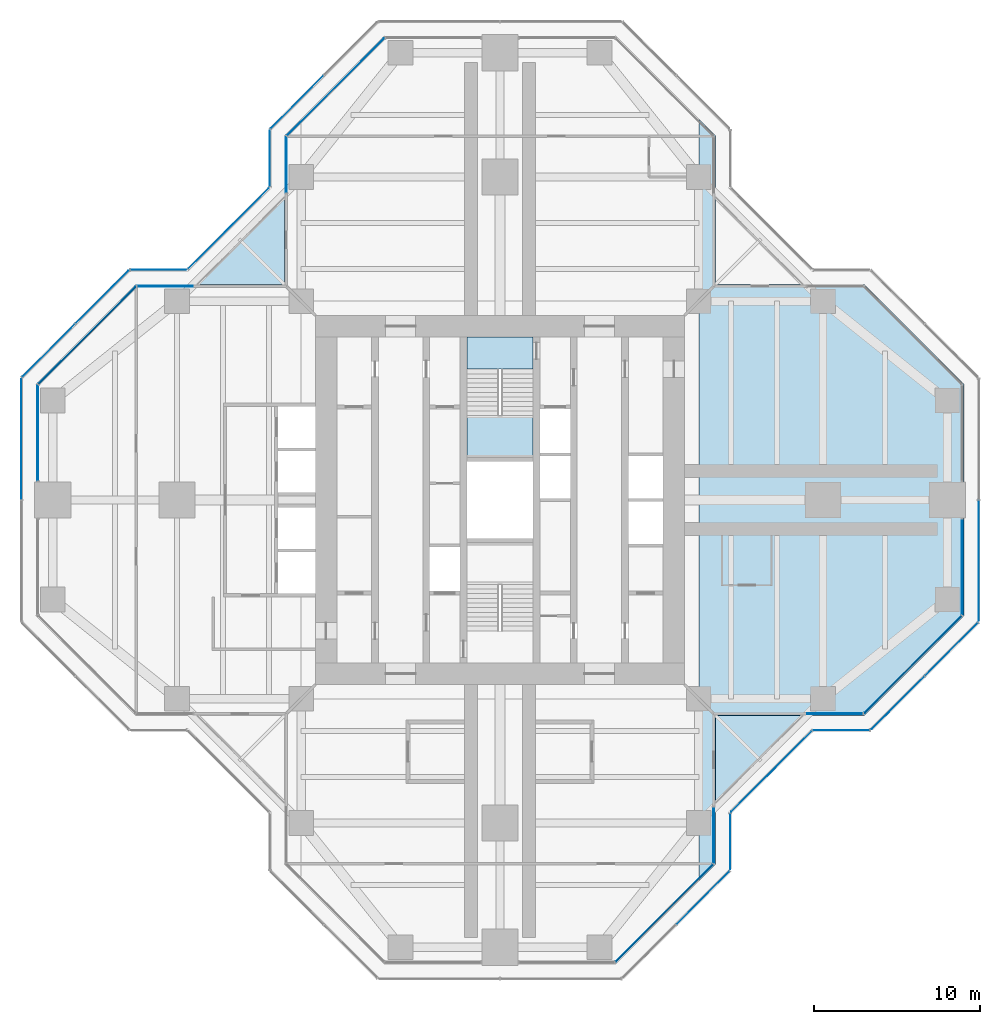
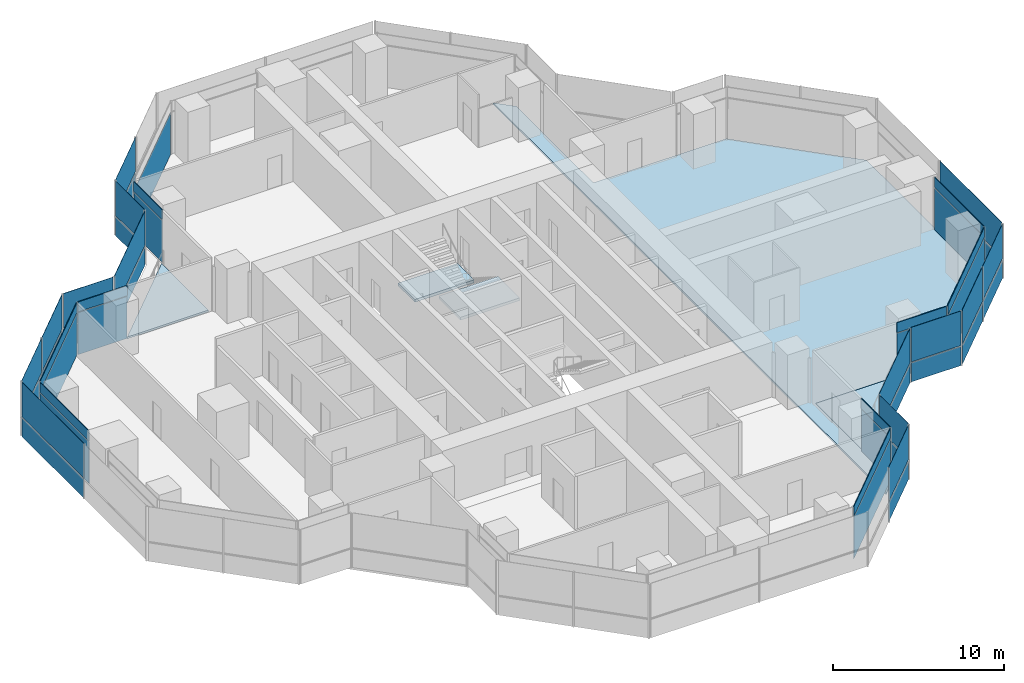
# One storey, part 11 of 17: 47 plates, 5 slabs, 23 elements without a shape of their own.
"""IFC4 building model written with IfcOpenShell, lengths in metres."""

from ifc_helpers import new_model, si_unit, direction, frame, origin, origin_2d, place, context, subcontext, project, spatial, polyline, rectangle, outline, extrude, material, layer, layer_set, type_object, element, aggregate, save


model = new_model("IFC4")

# Units and contexts
model_context = context("Model", 3, precision=1e-05, world=origin(), true_north=direction((0.0, 1.0)))
body_context = subcontext(model_context, "Body", "Model", "MODEL_VIEW")
ifc_project = project(units=[si_unit("LENGTHUNIT", "METRE"), si_unit("AREAUNIT", "SQUARE_METRE"), si_unit("VOLUMEUNIT", "CUBIC_METRE"), si_unit("PLANEANGLEUNIT", "RADIAN"), si_unit("MASSUNIT", "GRAM", prefix="KILO")], contexts=[model_context])

# Site, building, storey
site_placement = place(None, origin())
site = spatial("IfcSite", under=ifc_project, at=site_placement, CompositionType="ELEMENT")
building_placement = place(site_placement, origin())
building = spatial("IfcBuilding", under=site, at=building_placement, Name="Mizan Broadcast Tower", CompositionType="ELEMENT")
storey_placement = place(building_placement, frame((0.0, 0.0, 220.5)))
storey = spatial("IfcBuildingStorey", under=building, at=storey_placement, Name="L51", CompositionType="ELEMENT", Elevation=220.5)

# Slab
ifc_material_1 = material(Name="Concrete C32/40", Category="concrete")
ifc_layer_1 = layer(ifc_material_1, 0.1298828125)
ifc_layer_set_1 = layer_set([ifc_layer_1], Name="Concrete C32/40")
slab_type_1 = type_object("IfcSlabType", Name="COMPOSITE DECK SLAB 130", PredefinedType="FLOOR", material=ifc_layer_set_1)
slab_1_placement = place(storey_placement, frame((0.0, 0.0, -0.1298828125)))
element("IfcSlab", 1, at=slab_1_placement, inside=storey, type_object=slab_type_1, Name="Floor slab L51 east arm", PredefinedType="FLOOR", context=body_context, shape_type="SweptSolid", body=[
    extrude(outline(polyline([(13.0, 22.0), (12.0, 23.0), (12.0, -23.0), (13.0, -22.0), (13.0, -13.0), (22.0, -13.0), (28.0, -7.0), (28.0, 7.0), (22.0, 13.0), (13.0, 13.0), (13.0, 22.0)])), origin(), (0.0, 0.0, 1.0), 0.1298828125),
])

# Curtain wall, plate
ifc_material_2 = material(Name="Aluminium framed glazing", Category="aluminium")
curtain_wall_type_1 = type_object("IfcCurtainWallType", Name="INNER SKIN HIGH ZONE", PredefinedType="USERDEFINED", material=ifc_material_2)
curtain_wall_1_placement = place(storey_placement, origin())
curtain_wall_1 = element("IfcCurtainWall", 2, at=curtain_wall_1_placement, inside=storey, type_object=curtain_wall_type_1, Name="Inner skin high zone L51 E side", ObjectType="INNER SKIN HIGH ZONE", PredefinedType="USERDEFINED")
ifc_material_3 = material(Name="Double glazing, clear low-e", Category="glass")
ifc_layer_2 = layer(ifc_material_3, 0.028076171875)
ifc_layer_set_2 = layer_set([ifc_layer_2], Name="Double glazing, clear low-e")
plate_type_1 = type_object("IfcPlateType", Name="INNER SKIN GLAZING UNIT", PredefinedType="CURTAIN_PANEL", material=ifc_layer_set_2)
plate_1_placement = place(storey_placement, frame((20.229248046875, -12.89990234375, 0.0), z_axis=(0.0, 0.0, 1.0), x_axis=(1.0, 0.0, 0.0)))
plate_1 = element("IfcPlate", 3, at=plate_1_placement, type_object=plate_type_1, Name="Inner skin high zone L51 E side panel 1.1", PredefinedType="CURTAIN_PANEL", context=body_context, shape_type="SweptSolid", body=[
    extrude(rectangle(XDim=3.338623046875, YDim=0.028076171875, at=origin_2d()), origin(), (0.0, 0.0, 1.0), 3.0),
])

curtain_wall_2_placement = place(storey_placement, origin())
curtain_wall_2 = element("IfcCurtainWall", 4, at=curtain_wall_2_placement, inside=storey, type_object=curtain_wall_type_1, Name="Inner skin high zone L51 E chamfer", ObjectType="INNER SKIN HIGH ZONE", PredefinedType="USERDEFINED")
plate_2_placement = place(storey_placement, frame((24.92919921875, -9.92919921875, 0.0), z_axis=(0.0, 0.0, 1.0), x_axis=(0.707106781187, 0.707106781187, 0.0)))
plate_2 = element("IfcPlate", 5, at=plate_2_placement, type_object=plate_type_1, Name="Inner skin high zone L51 E chamfer panel 1.1", PredefinedType="CURTAIN_PANEL", context=body_context, shape_type="SweptSolid", body=[
    extrude(rectangle(XDim=8.282470703125, YDim=0.028076171875, at=origin_2d()), origin(), (0.0, 0.0, 1.0), 3.0),
])

curtain_wall_3_placement = place(storey_placement, origin())
curtain_wall_3 = element("IfcCurtainWall", 6, at=curtain_wall_3_placement, inside=storey, type_object=curtain_wall_type_1, Name="Inner skin high zone L51 E end", ObjectType="INNER SKIN HIGH ZONE", PredefinedType="USERDEFINED")
plate_3_placement = place(storey_placement, frame((27.89990234375, -4.029296875, 0.0), z_axis=(0.0, 0.0, 1.0), x_axis=(0.0, 1.0, 0.0)))
plate_3 = element("IfcPlate", 7, at=plate_3_placement, type_object=plate_type_1, Name="Inner skin high zone L51 E end panel 1.1", PredefinedType="CURTAIN_PANEL", context=body_context, shape_type="SweptSolid", body=[
    extrude(rectangle(XDim=5.738525390625, YDim=0.028076171875, at=origin_2d()), origin(), (0.0, 0.0, 1.0), 3.0),
])

curtain_wall_4_placement = place(storey_placement, origin())
curtain_wall_4 = element("IfcCurtainWall", 8, at=curtain_wall_4_placement, inside=storey, type_object=curtain_wall_type_1, Name="Inner skin high zone L51 N chamfer", ObjectType="INNER SKIN HIGH ZONE", PredefinedType="USERDEFINED")
plate_4_placement = place(storey_placement, frame((-9.92919921875, 24.92919921875, 0.0), z_axis=(0.0, 0.0, 1.0), x_axis=(-0.707106781187, -0.707106781187, 0.0)))
plate_4 = element("IfcPlate", 9, at=plate_4_placement, type_object=plate_type_1, Name="Inner skin high zone L51 N chamfer panel 1.1", PredefinedType="CURTAIN_PANEL", context=body_context, shape_type="SweptSolid", body=[
    extrude(rectangle(XDim=8.282470703125, YDim=0.028076171875, at=origin_2d()), origin(), (0.0, 0.0, 1.0), 3.0),
])
aggregate(curtain_wall_4, [plate_4])

curtain_wall_5_placement = place(storey_placement, origin())
curtain_wall_5 = element("IfcCurtainWall", 10, at=curtain_wall_5_placement, inside=storey, type_object=curtain_wall_type_1, Name="Inner skin high zone L51 N side", ObjectType="INNER SKIN HIGH ZONE", PredefinedType="USERDEFINED")
plate_5_placement = place(storey_placement, frame((-12.89990234375, 20.229248046875, 0.0), z_axis=(0.0, 0.0, 1.0), x_axis=(0.0, -1.0, 0.0)))
plate_5 = element("IfcPlate", 11, at=plate_5_placement, type_object=plate_type_1, Name="Inner skin high zone L51 N side panel 1.1", PredefinedType="CURTAIN_PANEL", context=body_context, shape_type="SweptSolid", body=[
    extrude(rectangle(XDim=3.338623046875, YDim=0.028076171875, at=origin_2d()), origin(), (0.0, 0.0, 1.0), 3.0),
])

curtain_wall_6_placement = place(storey_placement, origin())
curtain_wall_6 = element("IfcCurtainWall", 12, at=curtain_wall_6_placement, inside=storey, type_object=curtain_wall_type_1, Name="Inner skin high zone L51 W side", ObjectType="INNER SKIN HIGH ZONE", PredefinedType="USERDEFINED")
plate_6_placement = place(storey_placement, frame((-20.229248046875, 12.89990234375, 0.0), z_axis=(0.0, 0.0, 1.0), x_axis=(-1.0, 0.0, 0.0)))
plate_6 = element("IfcPlate", 13, at=plate_6_placement, type_object=plate_type_1, Name="Inner skin high zone L51 W side panel 1.1", PredefinedType="CURTAIN_PANEL", context=body_context, shape_type="SweptSolid", body=[
    extrude(rectangle(XDim=3.338623046875, YDim=0.028076171875, at=origin_2d()), origin(), (0.0, 0.0, 1.0), 3.0),
])

curtain_wall_7_placement = place(storey_placement, origin())
curtain_wall_7 = element("IfcCurtainWall", 14, at=curtain_wall_7_placement, inside=storey, type_object=curtain_wall_type_1, Name="Inner skin high zone L51 W chamfer", ObjectType="INNER SKIN HIGH ZONE", PredefinedType="USERDEFINED")
plate_7_placement = place(storey_placement, frame((-24.92919921875, 9.92919921875, 0.0), z_axis=(0.0, 0.0, 1.0), x_axis=(-0.707106781187, -0.707106781187, 0.0)))
plate_7 = element("IfcPlate", 15, at=plate_7_placement, type_object=plate_type_1, Name="Inner skin high zone L51 W chamfer panel 1.1", PredefinedType="CURTAIN_PANEL", context=body_context, shape_type="SweptSolid", body=[
    extrude(rectangle(XDim=8.282470703125, YDim=0.028076171875, at=origin_2d()), origin(), (0.0, 0.0, 1.0), 3.0),
])

curtain_wall_8_placement = place(storey_placement, origin())
curtain_wall_8 = element("IfcCurtainWall", 16, at=curtain_wall_8_placement, inside=storey, type_object=curtain_wall_type_1, Name="Inner skin high zone L51 W end", ObjectType="INNER SKIN HIGH ZONE", PredefinedType="USERDEFINED")
plate_8_placement = place(storey_placement, frame((-27.89990234375, 4.029296875, 0.0), z_axis=(0.0, 0.0, 1.0), x_axis=(0.0, -1.0, 0.0)))
plate_8 = element("IfcPlate", 17, at=plate_8_placement, type_object=plate_type_1, Name="Inner skin high zone L51 W end panel 1.1", PredefinedType="CURTAIN_PANEL", context=body_context, shape_type="SweptSolid", body=[
    extrude(rectangle(XDim=5.738525390625, YDim=0.028076171875, at=origin_2d()), origin(), (0.0, 0.0, 1.0), 3.0),
])

curtain_wall_9_placement = place(storey_placement, origin())
curtain_wall_9 = element("IfcCurtainWall", 18, at=curtain_wall_9_placement, inside=storey, type_object=curtain_wall_type_1, Name="Inner skin high zone L51 S chamfer", ObjectType="INNER SKIN HIGH ZONE", PredefinedType="USERDEFINED")
plate_9_placement = place(storey_placement, frame((9.92919921875, -24.92919921875, 0.0), z_axis=(0.0, 0.0, 1.0), x_axis=(0.707106781187, 0.707106781187, 0.0)))
plate_9 = element("IfcPlate", 19, at=plate_9_placement, type_object=plate_type_1, Name="Inner skin high zone L51 S chamfer panel 1.1", PredefinedType="CURTAIN_PANEL", context=body_context, shape_type="SweptSolid", body=[
    extrude(rectangle(XDim=8.282470703125, YDim=0.028076171875, at=origin_2d()), origin(), (0.0, 0.0, 1.0), 3.0),
])

curtain_wall_10_placement = place(storey_placement, origin())
curtain_wall_10 = element("IfcCurtainWall", 20, at=curtain_wall_10_placement, inside=storey, type_object=curtain_wall_type_1, Name="Inner skin high zone L51 S side", ObjectType="INNER SKIN HIGH ZONE", PredefinedType="USERDEFINED")
plate_10_placement = place(storey_placement, frame((12.89990234375, -20.229248046875, 0.0), z_axis=(0.0, 0.0, 1.0), x_axis=(0.0, 1.0, 0.0)))
plate_10 = element("IfcPlate", 21, at=plate_10_placement, type_object=plate_type_1, Name="Inner skin high zone L51 S side panel 1.1", PredefinedType="CURTAIN_PANEL", context=body_context, shape_type="SweptSolid", body=[
    extrude(rectangle(XDim=3.338623046875, YDim=0.028076171875, at=origin_2d()), origin(), (0.0, 0.0, 1.0), 3.0),
])

# Plate
ifc_material_4 = material(Name="Insulated aluminium spandrel panel, pale anodised", Category="aluminium")
ifc_layer_3 = layer(ifc_material_4, 0.050048828125)
ifc_layer_set_3 = layer_set([ifc_layer_3], Name="Insulated aluminium spandrel panel, pale anodised")
plate_type_2 = type_object("IfcPlateType", Name="INNER SKIN SPANDREL PANEL", PredefinedType="CURTAIN_PANEL", material=ifc_layer_set_3)
plate_11_placement = place(storey_placement, frame((20.229248046875, -12.89990234375, 3.06005859375), z_axis=(0.0, 0.0, 1.0), x_axis=(1.0, 0.0, 0.0)))
plate_11 = element("IfcPlate", 22, at=plate_11_placement, type_object=plate_type_2, Name="Inner skin high zone L51 E side panel 1.2", PredefinedType="CURTAIN_PANEL", context=body_context, shape_type="SweptSolid", body=[
    extrude(rectangle(XDim=3.338623046875, YDim=0.050048828125, at=origin_2d()), origin(), (0.0, 0.0, 1.0), 0.7099609375),
])

aggregate(curtain_wall_1, [plate_1, plate_11])

plate_12_placement = place(storey_placement, frame((24.92919921875, -9.92919921875, 3.06005859375), z_axis=(0.0, 0.0, 1.0), x_axis=(0.707106781187, 0.707106781187, 0.0)))
plate_12 = element("IfcPlate", 23, at=plate_12_placement, type_object=plate_type_2, Name="Inner skin high zone L51 E chamfer panel 1.2", PredefinedType="CURTAIN_PANEL", context=body_context, shape_type="SweptSolid", body=[
    extrude(rectangle(XDim=8.282470703125, YDim=0.050048828125, at=origin_2d()), origin(), (0.0, 0.0, 1.0), 0.7099609375),
])

aggregate(curtain_wall_2, [plate_2, plate_12])

plate_13_placement = place(storey_placement, frame((27.89990234375, -4.029296875, 3.06005859375), z_axis=(0.0, 0.0, 1.0), x_axis=(0.0, 1.0, 0.0)))
plate_13 = element("IfcPlate", 24, at=plate_13_placement, type_object=plate_type_2, Name="Inner skin high zone L51 E end panel 1.2", PredefinedType="CURTAIN_PANEL", context=body_context, shape_type="SweptSolid", body=[
    extrude(rectangle(XDim=5.738525390625, YDim=0.050048828125, at=origin_2d()), origin(), (0.0, 0.0, 1.0), 0.7099609375),
])

aggregate(curtain_wall_3, [plate_3, plate_13])

plate_14_placement = place(storey_placement, frame((-12.89990234375, 20.229248046875, 3.06005859375), z_axis=(0.0, 0.0, 1.0), x_axis=(0.0, -1.0, 0.0)))
plate_14 = element("IfcPlate", 25, at=plate_14_placement, type_object=plate_type_2, Name="Inner skin high zone L51 N side panel 1.2", PredefinedType="CURTAIN_PANEL", context=body_context, shape_type="SweptSolid", body=[
    extrude(rectangle(XDim=3.338623046875, YDim=0.050048828125, at=origin_2d()), origin(), (0.0, 0.0, 1.0), 0.7099609375),
])

aggregate(curtain_wall_5, [plate_5, plate_14])

plate_15_placement = place(storey_placement, frame((-20.229248046875, 12.89990234375, 3.06005859375), z_axis=(0.0, 0.0, 1.0), x_axis=(-1.0, 0.0, 0.0)))
plate_15 = element("IfcPlate", 26, at=plate_15_placement, type_object=plate_type_2, Name="Inner skin high zone L51 W side panel 1.2", PredefinedType="CURTAIN_PANEL", context=body_context, shape_type="SweptSolid", body=[
    extrude(rectangle(XDim=3.338623046875, YDim=0.050048828125, at=origin_2d()), origin(), (0.0, 0.0, 1.0), 0.7099609375),
])

aggregate(curtain_wall_6, [plate_6, plate_15])

plate_16_placement = place(storey_placement, frame((-24.92919921875, 9.92919921875, 3.06005859375), z_axis=(0.0, 0.0, 1.0), x_axis=(-0.707106781187, -0.707106781187, 0.0)))
plate_16 = element("IfcPlate", 27, at=plate_16_placement, type_object=plate_type_2, Name="Inner skin high zone L51 W chamfer panel 1.2", PredefinedType="CURTAIN_PANEL", context=body_context, shape_type="SweptSolid", body=[
    extrude(rectangle(XDim=8.282470703125, YDim=0.050048828125, at=origin_2d()), origin(), (0.0, 0.0, 1.0), 0.7099609375),
])

aggregate(curtain_wall_7, [plate_7, plate_16])

plate_17_placement = place(storey_placement, frame((-27.89990234375, 4.029296875, 3.06005859375), z_axis=(0.0, 0.0, 1.0), x_axis=(0.0, -1.0, 0.0)))
plate_17 = element("IfcPlate", 28, at=plate_17_placement, type_object=plate_type_2, Name="Inner skin high zone L51 W end panel 1.2", PredefinedType="CURTAIN_PANEL", context=body_context, shape_type="SweptSolid", body=[
    extrude(rectangle(XDim=5.738525390625, YDim=0.050048828125, at=origin_2d()), origin(), (0.0, 0.0, 1.0), 0.7099609375),
])

aggregate(curtain_wall_8, [plate_8, plate_17])

plate_18_placement = place(storey_placement, frame((9.92919921875, -24.92919921875, 3.06005859375), z_axis=(0.0, 0.0, 1.0), x_axis=(0.707106781187, 0.707106781187, 0.0)))
plate_18 = element("IfcPlate", 29, at=plate_18_placement, type_object=plate_type_2, Name="Inner skin high zone L51 S chamfer panel 1.2", PredefinedType="CURTAIN_PANEL", context=body_context, shape_type="SweptSolid", body=[
    extrude(rectangle(XDim=8.282470703125, YDim=0.050048828125, at=origin_2d()), origin(), (0.0, 0.0, 1.0), 0.7099609375),
])

aggregate(curtain_wall_9, [plate_9, plate_18])

plate_19_placement = place(storey_placement, frame((12.89990234375, -20.229248046875, 3.06005859375), z_axis=(0.0, 0.0, 1.0), x_axis=(0.0, 1.0, 0.0)))
plate_19 = element("IfcPlate", 30, at=plate_19_placement, type_object=plate_type_2, Name="Inner skin high zone L51 S side panel 1.2", PredefinedType="CURTAIN_PANEL", context=body_context, shape_type="SweptSolid", body=[
    extrude(rectangle(XDim=3.338623046875, YDim=0.050048828125, at=origin_2d()), origin(), (0.0, 0.0, 1.0), 0.7099609375),
])

aggregate(curtain_wall_10, [plate_10, plate_19])

# Curtain wall, plates
ifc_material_5 = material(Name="Aluminium framed glazing", Category="aluminium")
curtain_wall_type_2 = type_object("IfcCurtainWallType", Name="OUTER SKIN", PredefinedType="USERDEFINED", material=ifc_material_5)
curtain_wall_11_placement = place(storey_placement, origin())
curtain_wall_11 = element("IfcCurtainWall", 31, at=curtain_wall_11_placement, inside=storey, type_object=curtain_wall_type_2, Name="Outer skin L51 E chamfer", ObjectType="OUTER SKIN", PredefinedType="USERDEFINED")
ifc_material_6 = material(Name="Laminated clear glass", Category="glass")
ifc_layer_4 = layer(ifc_material_6, 0.02001953125)
ifc_layer_set_4 = layer_set([ifc_layer_4], Name="Laminated clear glass")
plate_type_3 = type_object("IfcPlateType", Name="OUTER SKIN CLEAR GLASS", PredefinedType="CURTAIN_PANEL", material=ifc_layer_set_4)
plate_20_placement = place(storey_placement, frame((24.018798828125, -12.254150390625, 0.0), z_axis=(0.0, 0.0, 1.0), x_axis=(0.707106781187, 0.707106781187, 0.0)))
plate_20 = element("IfcPlate", 32, at=plate_20_placement, type_object=plate_type_3, Name="Outer skin L51 E chamfer panel 1.1", PredefinedType="CURTAIN_PANEL", context=body_context, shape_type="SweptSolid", body=[
    extrude(rectangle(XDim=4.495361328125, YDim=0.02001953125, at=origin_2d()), origin(), (0.0, 0.0, 1.0), 1.3701171875),
])
plate_21_placement = place(storey_placement, frame((24.018798828125, -12.254150390625, 1.43017578125), z_axis=(0.0, 0.0, 1.0), x_axis=(0.707106781187, 0.707106781187, 0.0)))
plate_21 = element("IfcPlate", 33, at=plate_21_placement, type_object=plate_type_3, Name="Outer skin L51 E chamfer panel 1.2", PredefinedType="CURTAIN_PANEL", context=body_context, shape_type="SweptSolid", body=[
    extrude(rectangle(XDim=4.495361328125, YDim=0.02001953125, at=origin_2d()), origin(), (0.0, 0.0, 1.0), 2.469970703125),
])

curtain_wall_12_placement = place(storey_placement, origin())
curtain_wall_12 = element("IfcCurtainWall", 34, at=curtain_wall_12_placement, inside=storey, type_object=curtain_wall_type_2, Name="Outer skin L51 E end", ObjectType="OUTER SKIN", PredefinedType="USERDEFINED")
plate_22_placement = place(storey_placement, frame((28.89990234375, -3.66650390625, 0.0), z_axis=(0.0, 0.0, 1.0), x_axis=(0.0, 1.0, 0.0)))
plate_22 = element("IfcPlate", 35, at=plate_22_placement, type_object=plate_type_3, Name="Outer skin L51 E end panel 1.1", PredefinedType="CURTAIN_PANEL", context=body_context, shape_type="SweptSolid", body=[
    extrude(rectangle(XDim=7.252685546875, YDim=0.02001953125, at=origin_2d()), origin(), (0.0, 0.0, 1.0), 1.3701171875),
])
plate_23_placement = place(storey_placement, frame((28.89990234375, -3.66650390625, 1.43017578125), z_axis=(0.0, 0.0, 1.0), x_axis=(0.0, 1.0, 0.0)))
plate_23 = element("IfcPlate", 36, at=plate_23_placement, type_object=plate_type_3, Name="Outer skin L51 E end panel 1.2", PredefinedType="CURTAIN_PANEL", context=body_context, shape_type="SweptSolid", body=[
    extrude(rectangle(XDim=7.252685546875, YDim=0.02001953125, at=origin_2d()), origin(), (0.0, 0.0, 1.0), 2.469970703125),
])
aggregate(curtain_wall_12, [plate_22, plate_23])

curtain_wall_13_placement = place(storey_placement, origin())
curtain_wall_13 = element("IfcCurtainWall", 37, at=curtain_wall_13_placement, inside=storey, type_object=curtain_wall_type_2, Name="Outer skin L51 N side", ObjectType="OUTER SKIN", PredefinedType="USERDEFINED")
plate_24_placement = place(storey_placement, frame((-13.89990234375, 20.622802734375, 0.0), z_axis=(0.0, 0.0, 1.0), x_axis=(0.0, -1.0, 0.0)))
plate_24 = element("IfcPlate", 38, at=plate_24_placement, type_object=plate_type_3, Name="Outer skin L51 N side panel 1.1", PredefinedType="CURTAIN_PANEL", context=body_context, shape_type="SweptSolid", body=[
    extrude(rectangle(XDim=3.340087890625, YDim=0.02001953125, at=origin_2d()), origin(), (0.0, 0.0, 1.0), 1.3701171875),
])
plate_25_placement = place(storey_placement, frame((-13.89990234375, 20.622802734375, 1.43017578125), z_axis=(0.0, 0.0, 1.0), x_axis=(0.0, -1.0, 0.0)))
plate_25 = element("IfcPlate", 39, at=plate_25_placement, type_object=plate_type_3, Name="Outer skin L51 N side panel 1.2", PredefinedType="CURTAIN_PANEL", context=body_context, shape_type="SweptSolid", body=[
    extrude(rectangle(XDim=3.340087890625, YDim=0.02001953125, at=origin_2d()), origin(), (0.0, 0.0, 1.0), 2.469970703125),
])
aggregate(curtain_wall_13, [plate_24, plate_25])

curtain_wall_14_placement = place(storey_placement, origin())
curtain_wall_14 = element("IfcCurtainWall", 40, at=curtain_wall_14_placement, inside=storey, type_object=curtain_wall_type_2, Name="Outer skin L51 W chamfer", ObjectType="OUTER SKIN", PredefinedType="USERDEFINED")
plate_26_placement = place(storey_placement, frame((-16.386474609375, 16.386474609375, 0.0), z_axis=(0.0, 0.0, 1.0), x_axis=(-0.707106781187, -0.707106781187, 0.0)))
plate_26 = element("IfcPlate", 41, at=plate_26_placement, type_object=plate_type_3, Name="Outer skin L51 W chamfer panel 1.1", PredefinedType="CURTAIN_PANEL", context=body_context, shape_type="SweptSolid", body=[
    extrude(rectangle(XDim=6.87255859375, YDim=0.02001953125, at=origin_2d()), origin(), (0.0, 0.0, 1.0), 1.3701171875),
])
plate_27_placement = place(storey_placement, frame((-16.386474609375, 16.386474609375, 1.43017578125), z_axis=(0.0, 0.0, 1.0), x_axis=(-0.707106781187, -0.707106781187, 0.0)))
plate_27 = element("IfcPlate", 42, at=plate_27_placement, type_object=plate_type_3, Name="Outer skin L51 W chamfer panel 1.2", PredefinedType="CURTAIN_PANEL", context=body_context, shape_type="SweptSolid", body=[
    extrude(rectangle(XDim=6.87255859375, YDim=0.02001953125, at=origin_2d()), origin(), (0.0, 0.0, 1.0), 2.469970703125),
])
aggregate(curtain_wall_14, [plate_26, plate_27])

curtain_wall_15_placement = place(storey_placement, origin())
curtain_wall_15 = element("IfcCurtainWall", 43, at=curtain_wall_15_placement, inside=storey, type_object=curtain_wall_type_2, Name="Outer skin L51 W side", ObjectType="OUTER SKIN", PredefinedType="USERDEFINED")
plate_28_placement = place(storey_placement, frame((-20.622802734375, 13.89990234375, 0.0), z_axis=(0.0, 0.0, 1.0), x_axis=(-1.0, 0.0, 0.0)))
plate_28 = element("IfcPlate", 44, at=plate_28_placement, type_object=plate_type_3, Name="Outer skin L51 W side panel 1.1", PredefinedType="CURTAIN_PANEL", context=body_context, shape_type="SweptSolid", body=[
    extrude(rectangle(XDim=3.340087890625, YDim=0.02001953125, at=origin_2d()), origin(), (0.0, 0.0, 1.0), 1.3701171875),
])
plate_29_placement = place(storey_placement, frame((-20.622802734375, 13.89990234375, 1.43017578125), z_axis=(0.0, 0.0, 1.0), x_axis=(-1.0, 0.0, 0.0)))
plate_29 = element("IfcPlate", 45, at=plate_29_placement, type_object=plate_type_3, Name="Outer skin L51 W side panel 1.2", PredefinedType="CURTAIN_PANEL", context=body_context, shape_type="SweptSolid", body=[
    extrude(rectangle(XDim=3.340087890625, YDim=0.02001953125, at=origin_2d()), origin(), (0.0, 0.0, 1.0), 2.469970703125),
])
aggregate(curtain_wall_15, [plate_28, plate_29])

curtain_wall_16_placement = place(storey_placement, origin())
curtain_wall_16 = element("IfcCurtainWall", 46, at=curtain_wall_16_placement, inside=storey, type_object=curtain_wall_type_2, Name="Outer skin L51 W chamfer", ObjectType="OUTER SKIN", PredefinedType="USERDEFINED")
plate_30_placement = place(storey_placement, frame((-24.018798828125, 12.254150390625, 0.0), z_axis=(0.0, 0.0, 1.0), x_axis=(-0.707106781187, -0.707106781187, 0.0)))
plate_30 = element("IfcPlate", 47, at=plate_30_placement, type_object=plate_type_3, Name="Outer skin L51 W chamfer panel 1.1", PredefinedType="CURTAIN_PANEL", context=body_context, shape_type="SweptSolid", body=[
    extrude(rectangle(XDim=4.495361328125, YDim=0.02001953125, at=origin_2d()), origin(), (0.0, 0.0, 1.0), 1.3701171875),
])
plate_31_placement = place(storey_placement, frame((-24.018798828125, 12.254150390625, 1.43017578125), z_axis=(0.0, 0.0, 1.0), x_axis=(-0.707106781187, -0.707106781187, 0.0)))
plate_31 = element("IfcPlate", 48, at=plate_31_placement, type_object=plate_type_3, Name="Outer skin L51 W chamfer panel 1.2", PredefinedType="CURTAIN_PANEL", context=body_context, shape_type="SweptSolid", body=[
    extrude(rectangle(XDim=4.495361328125, YDim=0.02001953125, at=origin_2d()), origin(), (0.0, 0.0, 1.0), 2.469970703125),
])

curtain_wall_17_placement = place(storey_placement, origin())
curtain_wall_17 = element("IfcCurtainWall", 49, at=curtain_wall_17_placement, inside=storey, type_object=curtain_wall_type_2, Name="Outer skin L51 W end", ObjectType="OUTER SKIN", PredefinedType="USERDEFINED")
plate_32_placement = place(storey_placement, frame((-28.89990234375, 3.66650390625, 0.0), z_axis=(0.0, 0.0, 1.0), x_axis=(0.0, -1.0, 0.0)))
plate_32 = element("IfcPlate", 50, at=plate_32_placement, type_object=plate_type_3, Name="Outer skin L51 W end panel 1.1", PredefinedType="CURTAIN_PANEL", context=body_context, shape_type="SweptSolid", body=[
    extrude(rectangle(XDim=7.252685546875, YDim=0.02001953125, at=origin_2d()), origin(), (0.0, 0.0, 1.0), 1.3701171875),
])
plate_33_placement = place(storey_placement, frame((-28.89990234375, 3.66650390625, 1.43017578125), z_axis=(0.0, 0.0, 1.0), x_axis=(0.0, -1.0, 0.0)))
plate_33 = element("IfcPlate", 51, at=plate_33_placement, type_object=plate_type_3, Name="Outer skin L51 W end panel 1.2", PredefinedType="CURTAIN_PANEL", context=body_context, shape_type="SweptSolid", body=[
    extrude(rectangle(XDim=7.252685546875, YDim=0.02001953125, at=origin_2d()), origin(), (0.0, 0.0, 1.0), 2.469970703125),
])
aggregate(curtain_wall_17, [plate_32, plate_33])

curtain_wall_18_placement = place(storey_placement, origin())
curtain_wall_18 = element("IfcCurtainWall", 52, at=curtain_wall_18_placement, inside=storey, type_object=curtain_wall_type_2, Name="Outer skin L51 S side", ObjectType="OUTER SKIN", PredefinedType="USERDEFINED")
plate_34_placement = place(storey_placement, frame((13.89990234375, -20.622802734375, 0.0), z_axis=(0.0, 0.0, 1.0), x_axis=(0.0, 1.0, 0.0)))
plate_34 = element("IfcPlate", 53, at=plate_34_placement, type_object=plate_type_3, Name="Outer skin L51 S side panel 1.1", PredefinedType="CURTAIN_PANEL", context=body_context, shape_type="SweptSolid", body=[
    extrude(rectangle(XDim=3.340087890625, YDim=0.02001953125, at=origin_2d()), origin(), (0.0, 0.0, 1.0), 1.3701171875),
])
plate_35_placement = place(storey_placement, frame((13.89990234375, -20.622802734375, 1.43017578125), z_axis=(0.0, 0.0, 1.0), x_axis=(0.0, 1.0, 0.0)))
plate_35 = element("IfcPlate", 54, at=plate_35_placement, type_object=plate_type_3, Name="Outer skin L51 S side panel 1.2", PredefinedType="CURTAIN_PANEL", context=body_context, shape_type="SweptSolid", body=[
    extrude(rectangle(XDim=3.340087890625, YDim=0.02001953125, at=origin_2d()), origin(), (0.0, 0.0, 1.0), 2.469970703125),
])
aggregate(curtain_wall_18, [plate_34, plate_35])

curtain_wall_19_placement = place(storey_placement, origin())
curtain_wall_19 = element("IfcCurtainWall", 55, at=curtain_wall_19_placement, inside=storey, type_object=curtain_wall_type_2, Name="Outer skin L51 E chamfer", ObjectType="OUTER SKIN", PredefinedType="USERDEFINED")
plate_36_placement = place(storey_placement, frame((16.386474609375, -16.386474609375, 0.0), z_axis=(0.0, 0.0, 1.0), x_axis=(0.707106781187, 0.707106781187, 0.0)))
plate_36 = element("IfcPlate", 56, at=plate_36_placement, type_object=plate_type_3, Name="Outer skin L51 E chamfer panel 1.1", PredefinedType="CURTAIN_PANEL", context=body_context, shape_type="SweptSolid", body=[
    extrude(rectangle(XDim=6.87255859375, YDim=0.02001953125, at=origin_2d()), origin(), (0.0, 0.0, 1.0), 1.3701171875),
])
plate_37_placement = place(storey_placement, frame((16.386474609375, -16.386474609375, 1.43017578125), z_axis=(0.0, 0.0, 1.0), x_axis=(0.707106781187, 0.707106781187, 0.0)))
plate_37 = element("IfcPlate", 57, at=plate_37_placement, type_object=plate_type_3, Name="Outer skin L51 E chamfer panel 1.2", PredefinedType="CURTAIN_PANEL", context=body_context, shape_type="SweptSolid", body=[
    extrude(rectangle(XDim=6.87255859375, YDim=0.02001953125, at=origin_2d()), origin(), (0.0, 0.0, 1.0), 2.469970703125),
])
aggregate(curtain_wall_19, [plate_36, plate_37])

curtain_wall_20_placement = place(storey_placement, origin())
curtain_wall_20 = element("IfcCurtainWall", 58, at=curtain_wall_20_placement, inside=storey, type_object=curtain_wall_type_2, Name="Outer skin L51 E side", ObjectType="OUTER SKIN", PredefinedType="USERDEFINED")
plate_38_placement = place(storey_placement, frame((20.622802734375, -13.89990234375, 0.0), z_axis=(0.0, 0.0, 1.0), x_axis=(1.0, 0.0, 0.0)))
plate_38 = element("IfcPlate", 59, at=plate_38_placement, type_object=plate_type_3, Name="Outer skin L51 E side panel 1.1", PredefinedType="CURTAIN_PANEL", context=body_context, shape_type="SweptSolid", body=[
    extrude(rectangle(XDim=3.340087890625, YDim=0.02001953125, at=origin_2d()), origin(), (0.0, 0.0, 1.0), 1.3701171875),
])
plate_39_placement = place(storey_placement, frame((20.622802734375, -13.89990234375, 1.43017578125), z_axis=(0.0, 0.0, 1.0), x_axis=(1.0, 0.0, 0.0)))
plate_39 = element("IfcPlate", 60, at=plate_39_placement, type_object=plate_type_3, Name="Outer skin L51 E side panel 1.2", PredefinedType="CURTAIN_PANEL", context=body_context, shape_type="SweptSolid", body=[
    extrude(rectangle(XDim=3.340087890625, YDim=0.02001953125, at=origin_2d()), origin(), (0.0, 0.0, 1.0), 2.469970703125),
])
aggregate(curtain_wall_20, [plate_38, plate_39])

# Plate
ifc_material_7 = material(Name="Perforated aluminium, pale anodised", Category="aluminium")
ifc_layer_5 = layer(ifc_material_7, 0.011962890625)
ifc_layer_set_5 = layer_set([ifc_layer_5], Name="Perforated aluminium, pale anodised")
plate_type_4 = type_object("IfcPlateType", Name="OUTER SKIN PERFORATED SCREEN", PredefinedType="USERDEFINED", material=ifc_layer_set_5)
plate_40_placement = place(storey_placement, frame((27.254150390625, -9.018798828125, 0.0), z_axis=(0.0, 0.0, 1.0), x_axis=(0.707106781187, 0.707106781187, 0.0)))
plate_40 = element("IfcPlate", 61, at=plate_40_placement, type_object=plate_type_4, Name="Outer skin L51 E chamfer panel 2.1", ObjectType="SCREEN", PredefinedType="USERDEFINED", context=body_context, shape_type="SweptSolid", body=[
    extrude(rectangle(XDim=4.495361328125, YDim=0.011962890625, at=origin_2d()), origin(), (0.0, 0.0, 1.0), 1.3701171875),
])

plate_41_placement = place(storey_placement, frame((27.254150390625, -9.018798828125, 1.43017578125), z_axis=(0.0, 0.0, 1.0), x_axis=(0.707106781187, 0.707106781187, 0.0)))
plate_41 = element("IfcPlate", 62, at=plate_41_placement, type_object=plate_type_4, Name="Outer skin L51 E chamfer panel 2.2", ObjectType="SCREEN", PredefinedType="USERDEFINED", context=body_context, shape_type="SweptSolid", body=[
    extrude(rectangle(XDim=4.495361328125, YDim=0.011962890625, at=origin_2d()), origin(), (0.0, 0.0, 1.0), 2.469970703125),
])

aggregate(curtain_wall_11, [plate_20, plate_21, plate_40, plate_41])

# Curtain wall, plates
curtain_wall_21_placement = place(storey_placement, origin())
curtain_wall_21 = element("IfcCurtainWall", 63, at=curtain_wall_21_placement, inside=storey, type_object=curtain_wall_type_2, Name="Outer skin L51 N chamfer", ObjectType="OUTER SKIN", PredefinedType="USERDEFINED")
plate_42_placement = place(storey_placement, frame((-12.254150390625, 24.018798828125, 0.0), z_axis=(0.0, 0.0, 1.0), x_axis=(-0.707106781187, -0.707106781187, 0.0)))
plate_42 = element("IfcPlate", 64, at=plate_42_placement, type_object=plate_type_4, Name="Outer skin L51 N chamfer panel 2.1", ObjectType="SCREEN", PredefinedType="USERDEFINED", context=body_context, shape_type="SweptSolid", body=[
    extrude(rectangle(XDim=4.495361328125, YDim=0.011962890625, at=origin_2d()), origin(), (0.0, 0.0, 1.0), 1.3701171875),
])
plate_43_placement = place(storey_placement, frame((-12.254150390625, 24.018798828125, 1.43017578125), z_axis=(0.0, 0.0, 1.0), x_axis=(-0.707106781187, -0.707106781187, 0.0)))
plate_43 = element("IfcPlate", 65, at=plate_43_placement, type_object=plate_type_4, Name="Outer skin L51 N chamfer panel 2.2", ObjectType="SCREEN", PredefinedType="USERDEFINED", context=body_context, shape_type="SweptSolid", body=[
    extrude(rectangle(XDim=4.495361328125, YDim=0.011962890625, at=origin_2d()), origin(), (0.0, 0.0, 1.0), 2.469970703125),
])
aggregate(curtain_wall_21, [plate_42, plate_43])

# Plate
plate_44_placement = place(storey_placement, frame((-27.254150390625, 9.018798828125, 0.0), z_axis=(0.0, 0.0, 1.0), x_axis=(-0.707106781187, -0.707106781187, 0.0)))
plate_44 = element("IfcPlate", 66, at=plate_44_placement, type_object=plate_type_4, Name="Outer skin L51 W chamfer panel 2.1", ObjectType="SCREEN", PredefinedType="USERDEFINED", context=body_context, shape_type="SweptSolid", body=[
    extrude(rectangle(XDim=4.495361328125, YDim=0.011962890625, at=origin_2d()), origin(), (0.0, 0.0, 1.0), 1.3701171875),
])

plate_45_placement = place(storey_placement, frame((-27.254150390625, 9.018798828125, 1.43017578125), z_axis=(0.0, 0.0, 1.0), x_axis=(-0.707106781187, -0.707106781187, 0.0)))
plate_45 = element("IfcPlate", 67, at=plate_45_placement, type_object=plate_type_4, Name="Outer skin L51 W chamfer panel 2.2", ObjectType="SCREEN", PredefinedType="USERDEFINED", context=body_context, shape_type="SweptSolid", body=[
    extrude(rectangle(XDim=4.495361328125, YDim=0.011962890625, at=origin_2d()), origin(), (0.0, 0.0, 1.0), 2.469970703125),
])

aggregate(curtain_wall_16, [plate_30, plate_31, plate_44, plate_45])

# Curtain wall, plates
curtain_wall_22_placement = place(storey_placement, origin())
curtain_wall_22 = element("IfcCurtainWall", 68, at=curtain_wall_22_placement, inside=storey, type_object=curtain_wall_type_2, Name="Outer skin L51 S chamfer", ObjectType="OUTER SKIN", PredefinedType="USERDEFINED")
plate_46_placement = place(storey_placement, frame((12.254150390625, -24.018798828125, 0.0), z_axis=(0.0, 0.0, 1.0), x_axis=(0.707106781187, 0.707106781187, 0.0)))
plate_46 = element("IfcPlate", 69, at=plate_46_placement, type_object=plate_type_4, Name="Outer skin L51 S chamfer panel 2.1", ObjectType="SCREEN", PredefinedType="USERDEFINED", context=body_context, shape_type="SweptSolid", body=[
    extrude(rectangle(XDim=4.495361328125, YDim=0.011962890625, at=origin_2d()), origin(), (0.0, 0.0, 1.0), 1.3701171875),
])
plate_47_placement = place(storey_placement, frame((12.254150390625, -24.018798828125, 1.43017578125), z_axis=(0.0, 0.0, 1.0), x_axis=(0.707106781187, 0.707106781187, 0.0)))
plate_47 = element("IfcPlate", 70, at=plate_47_placement, type_object=plate_type_4, Name="Outer skin L51 S chamfer panel 2.2", ObjectType="SCREEN", PredefinedType="USERDEFINED", context=body_context, shape_type="SweptSolid", body=[
    extrude(rectangle(XDim=4.495361328125, YDim=0.011962890625, at=origin_2d()), origin(), (0.0, 0.0, 1.0), 2.469970703125),
])
aggregate(curtain_wall_22, [plate_46, plate_47])

# Stair, slabs
ifc_material_8 = material(Name="Concrete C40/50", Category="concrete")
stair_type = type_object("IfcStairType", Name="EXIT STAIR", PredefinedType="HALF_TURN_STAIR", material=ifc_material_8)
stair_placement = place(storey_placement, origin())
stair = element("IfcStair", 71, at=stair_placement, inside=storey, type_object=stair_type, Name="Stair B L51", PredefinedType="HALF_TURN_STAIR")
ifc_material_9 = material(Name="Concrete C40/50", Category="concrete")
ifc_layer_6 = layer(ifc_material_9, 0.199951171875)
ifc_layer_set_6 = layer_set([ifc_layer_6], Name="Concrete C40/50")
slab_type_2 = type_object("IfcSlabType", Name="STAIR LANDING 200", PredefinedType="LANDING", material=ifc_layer_set_6)
slab_2_placement = place(storey_placement, frame((0.0, 0.0, -0.199951171875)))
slab_2 = element("IfcSlab", 72, at=slab_2_placement, type_object=slab_type_2, Name="B landing 1", PredefinedType="LANDING", context=body_context, shape_type="SweptSolid", body=[
    extrude(outline(polyline([(2.0, 9.85009765625), (2.0, 7.89990234375), (-2.0, 7.89990234375), (-2.0, 9.85009765625), (2.0, 9.85009765625)])), origin(), (0.0, 0.0, 1.0), 0.199951171875),
])
slab_3_placement = place(storey_placement, frame((0.0, 0.0, 1.75)))
slab_3 = element("IfcSlab", 73, at=slab_3_placement, type_object=slab_type_2, Name="B landing 2", PredefinedType="LANDING", context=body_context, shape_type="SweptSolid", body=[
    extrude(outline(polyline([(2.0, 5.10009765625), (2.0, 2.574951171875), (-2.0, 2.574951171875), (-2.0, 5.10009765625), (2.0, 5.10009765625)])), origin(), (0.0, 0.0, 1.0), 0.199951171875),
])
aggregate(stair, [slab_2, slab_3])

# Slabs
ifc_material_10 = material(Name="Concrete C32/40", Category="concrete")
ifc_layer_7 = layer(ifc_material_10, 0.1298828125)
ifc_layer_set_7 = layer_set([ifc_layer_7], Name="Concrete C32/40")
slab_type_3 = type_object("IfcSlabType", Name="WINTER GARDEN SLAB 130", PredefinedType="FLOOR", material=ifc_layer_set_7)
slab_4_placement = place(storey_placement, frame((0.0, 0.0, -0.1298828125)))
element("IfcSlab", 74, at=slab_4_placement, inside=storey, type_object=slab_type_3, Name="Winter garden slab L51 N", PredefinedType="FLOOR", context=body_context, shape_type="SweptSolid", body=[
    extrude(outline(polyline([(-13.0, 13.0), (-13.0, 18.5), (-18.5, 13.0), (-13.0, 13.0)])), origin(), (0.0, 0.0, 1.0), 0.1298828125),
])
slab_5_placement = place(storey_placement, frame((0.0, 0.0, -0.1298828125)))
element("IfcSlab", 75, at=slab_5_placement, inside=storey, type_object=slab_type_3, Name="Winter garden slab L51 S", PredefinedType="FLOOR", context=body_context, shape_type="SweptSolid", body=[
    extrude(outline(polyline([(13.0, -13.0), (13.0, -18.5), (18.5, -13.0), (13.0, -13.0)])), origin(), (0.0, 0.0, 1.0), 0.1298828125),
])

save(model, "model.ifc")
